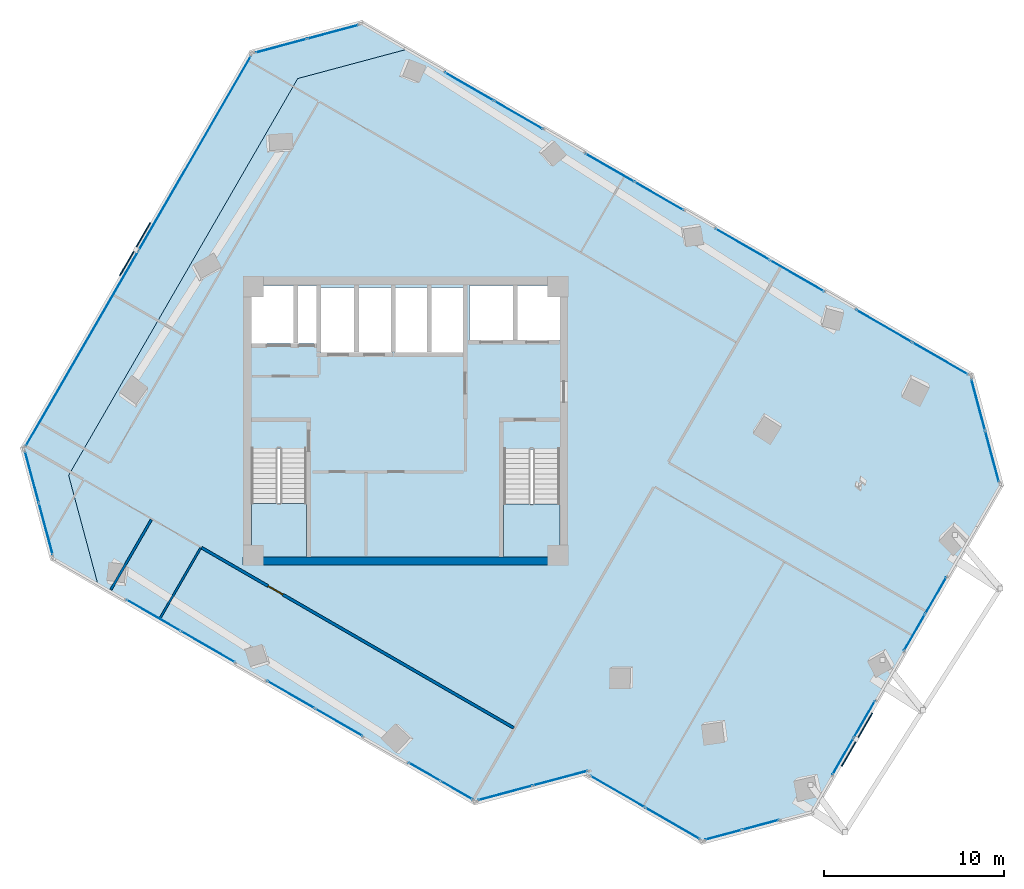
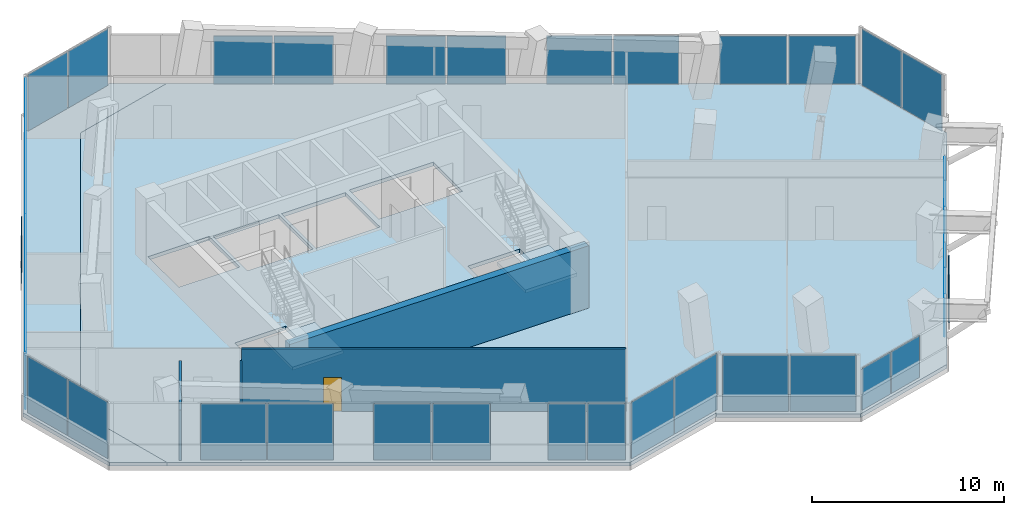
# One storey, part 17 of 22: 34 plates, 4 slabs, 4 walls, 1 door, 1 opening, 18 elements without a shape of their own.
"""IFC4 building model written with IfcOpenShell, lengths in metres."""

from ifc_helpers import new_model, si_unit, direction, frame, frame_2d, origin, origin_2d, place, context, subcontext, project, spatial, polyline, rectangle, outline, extrude, source, transform, mapped, material, layer, layer_set, type_object, element, fill, aggregate, save


model = new_model("IFC4")

# Units and contexts
model_context = context("Model", 3, precision=1e-05, world=origin(), true_north=direction((0.0, 1.0)))
body_context = subcontext(model_context, "Body", "Model", "MODEL_VIEW")
ifc_project = project(units=[si_unit("LENGTHUNIT", "METRE"), si_unit("AREAUNIT", "SQUARE_METRE"), si_unit("VOLUMEUNIT", "CUBIC_METRE"), si_unit("PLANEANGLEUNIT", "RADIAN"), si_unit("MASSUNIT", "GRAM", prefix="KILO")], contexts=[model_context])

# Site, building, storey
site_placement = place(None, origin())
site = spatial("IfcSite", under=ifc_project, at=site_placement, CompositionType="ELEMENT")
building_placement = place(site_placement, origin())
building = spatial("IfcBuilding", under=site, at=building_placement, Name="Torre Montelarca", CompositionType="ELEMENT")
storey_placement = place(building_placement, frame((0.0, 0.0, 183.39990234375)))
storey = spatial("IfcBuildingStorey", under=building, at=storey_placement, Name="L41", CompositionType="ELEMENT", Elevation=183.39990234375)

# Slabs
ifc_material_1 = material(Name="Concrete C40/50", Category="concrete")
ifc_layer_1 = layer(ifc_material_1, 0.239990234375, Name="Concrete C40/50", Category="concrete")
ifc_layer_set_1 = layer_set([ifc_layer_1], Name="Concrete C40/50")
slab_type_1 = type_object("IfcSlabType", Name="SL-FLR-240", PredefinedType="FLOOR", material=ifc_layer_set_1)
slab_1_placement = place(storey_placement, frame((0.0, 0.0, -0.239990234375)))
element("IfcSlab", 1, at=slab_1_placement, inside=storey, type_object=slab_type_1, Name="L41 Structural Floor Slab", PredefinedType="FLOOR", context=body_context, shape_type="SweptSolid", body=[
    extrude(outline(polyline([(21.839599609375, 10.788330078125), (27.98681640625, 12.435546875), (27.936767578125, 12.348876953125), (34.431884765625, 8.598876953125), (40.5791015625, 10.24609375), (51.0791015625, 28.4326171875), (49.431884765625, 34.57958984375), (18.16845703125, 52.629638671875), (12.021484375, 50.982421875), (-0.6787109375, 28.985595703125), (0.968505859375, 22.83837890625), (21.839599609375, 10.788330078125)]), holes=[polyline([(26.550048828125, 24.449951171875), (23.43994140625, 24.449951171875), (23.43994140625, 30.429931640625), (26.550048828125, 30.429931640625), (26.550048828125, 24.449951171875)]), polyline([(9.449951171875, 24.449951171875), (9.449951171875, 30.4599609375), (12.5, 30.4599609375), (12.5, 24.449951171875), (9.449951171875, 24.449951171875)]), polyline([(17.25, 35.800048828125), (13.300048828125, 35.800048828125), (13.300048828125, 39.39990234375), (17.25, 39.39990234375), (17.25, 35.800048828125)]), polyline([(21.25, 39.39990234375), (21.25, 35.800048828125), (17.39990234375, 35.800048828125), (17.39990234375, 39.39990234375), (21.25, 39.39990234375)]), polyline([(13.1201171875, 36.300048828125), (9.449951171875, 36.300048828125), (9.449951171875, 39.5), (13.1201171875, 39.5), (13.1201171875, 36.300048828125)]), polyline([(26.60009765625, 36.449951171875), (21.550048828125, 36.449951171875), (21.550048828125, 39.5), (26.60009765625, 39.5), (26.60009765625, 36.449951171875)])]), origin(), (0.0, 0.0, 1.0), 0.239990234375),
])
slab_2_placement = place(storey_placement, frame((0.0, 0.0, -0.239990234375)))
element("IfcSlab", 2, at=slab_2_placement, inside=storey, type_object=slab_type_1, Name="L41 Sliding Tray Winter Garden Floor Slab W1", PredefinedType="FLOOR", context=body_context, shape_type="SweptSolid", body=[
    extrude(outline(polyline([(0.968505859375, 22.83837890625), (-0.6787109375, 28.985595703125), (12.021484375, 50.982421875), (18.16845703125, 52.629638671875), (15.5703125, 54.129638671875), (9.42333984375, 52.482421875), (-3.276611328125, 30.485595703125), (-1.629638671875, 24.33837890625), (0.968505859375, 22.83837890625)])), origin(), (0.0, 0.0, 1.0), 0.239990234375),
])

# Stair, slab
stair_type_1 = type_object("IfcStairType", Name="ST-CORE-ST1", PredefinedType="HALF_TURN_STAIR", material=ifc_material_1)
stair_1_placement = place(storey_placement, origin())
stair_1 = element("IfcStair", 3, at=stair_1_placement, inside=storey, type_object=stair_type_1, Name="L41 Protected Exit Stair ST1", PredefinedType="HALF_TURN_STAIR")
ifc_layer_2 = layer(ifc_material_1, 0.199951171875, Name="Concrete C40/50", Category="concrete")
ifc_layer_set_2 = layer_set([ifc_layer_2], Name="Concrete C40/50")
slab_type_2 = type_object("IfcSlabType", Name="SL-ST-LAND-ST1", PredefinedType="LANDING", material=ifc_layer_set_2)
slab_3_placement = place(storey_placement, frame((0.0, 0.0, 1.900146484375)))
slab_3 = element("IfcSlab", 4, at=slab_3_placement, type_object=slab_type_2, Name="ST1 landing 1", PredefinedType="LANDING", context=body_context, shape_type="SweptSolid", body=[
    extrude(outline(polyline([(9.449951171875, 27.419921875), (9.449951171875, 24.449951171875), (12.5, 24.449951171875), (12.5, 27.419921875), (9.449951171875, 27.419921875)])), origin(), (0.0, 0.0, 1.0), 0.199951171875),
])
aggregate(stair_1, [slab_3])

stair_type_2 = type_object("IfcStairType", Name="ST-CORE-ST2", PredefinedType="HALF_TURN_STAIR", material=ifc_material_1)
stair_2_placement = place(storey_placement, origin())
stair_2 = element("IfcStair", 5, at=stair_2_placement, inside=storey, type_object=stair_type_2, Name="L41 Protected Exit Stair ST2", PredefinedType="HALF_TURN_STAIR")
ifc_layer_3 = layer(ifc_material_1, 0.199951171875, Name="Concrete C40/50", Category="concrete")
ifc_layer_set_3 = layer_set([ifc_layer_3], Name="Concrete C40/50")
slab_type_3 = type_object("IfcSlabType", Name="SL-ST-LAND-ST2", PredefinedType="LANDING", material=ifc_layer_set_3)
slab_4_placement = place(storey_placement, frame((0.0, 0.0, 1.900146484375)))
slab_4 = element("IfcSlab", 6, at=slab_4_placement, type_object=slab_type_3, Name="ST2 landing 1", PredefinedType="LANDING", context=body_context, shape_type="SweptSolid", body=[
    extrude(outline(polyline([(23.43994140625, 27.389892578125), (23.43994140625, 24.449951171875), (26.550048828125, 24.449951171875), (26.550048828125, 27.389892578125), (23.43994140625, 27.389892578125)])), origin(), (0.0, 0.0, 1.0), 0.199951171875),
])
aggregate(stair_2, [slab_4])

# Plates
ifc_material_2 = material(Name="Architectural perforated terracotta ceramic", Category="masonry")
ifc_layer_4 = layer(ifc_material_2, 0.06005859375, Name="Architectural perforated terracotta ceramic", Category="masonry")
ifc_layer_set_4 = layer_set([ifc_layer_4], Name="Architectural perforated terracotta ceramic")
plate_type_1 = type_object("IfcPlateType", Name="SCR-CER-60", PredefinedType="USERDEFINED", material=ifc_layer_set_4)
shared_shape_1 = source(origin(), body_context, "Body", "SweptSolid", [
    extrude(rectangle(XDim=3.39990234375, YDim=0.06005859375, at=origin_2d()), origin(), (0.0, 0.0, 1.0), 1.89990234375),
])
for number, where, z_axis, x_axis, name in (
    (7, (43.0283203125, 14.327880859375, 0.500244140625), (0.0, 0.0, 1.0), (0.5, 0.866025403784, 0.0), "L41 Perforated Ceramic Brise-Soleil Screen E6-1"),
    (8, (3.00390625, 41.52392578125, 0.500244140625), (0.0, 0.0, 1.0), (-0.500001511499, -0.866024531118, 0.0), "L41 Perforated Ceramic Brise-Soleil Screen E10-1"),
):
    element("IfcPlate", number, at=place(storey_placement, frame(where, z_axis=z_axis, x_axis=x_axis)), inside=storey, type_object=plate_type_1, Name=name, ObjectType="SOLAR SCREEN", PredefinedType="USERDEFINED", context=body_context, shape_type="MappedRepresentation", body=[
        mapped(shared_shape_1, transform((0.0, 0.0, 0.0), scale=1.0)),
    ])

# Curtain wall, plates
ifc_material_3 = material(Name="Insulated low-E laminated glass", Category="glass")
curtain_wall_type = type_object("IfcCurtainWallType", Name="CW-SYS-Z2", PredefinedType="USERDEFINED", material=ifc_material_3)
curtain_wall_1_placement = place(storey_placement, origin())
curtain_wall_1 = element("IfcCurtainWall", 9, at=curtain_wall_1_placement, inside=storey, type_object=curtain_wall_type, Name="L41 Curtain Wall Run CW-T3-L41-E02-B1", ObjectType="UNITISED GLAZING", PredefinedType="USERDEFINED")
ifc_layer_5 = layer(ifc_material_3, 0.031982421875, Name="Insulated low-E laminated glass", Category="glass")
ifc_layer_set_5 = layer_set([ifc_layer_5], Name="Insulated low-E laminated glass")
plate_type_2 = type_object("IfcPlateType", Name="CWP-GLZ-32", PredefinedType="CURTAIN_PANEL", material=ifc_layer_set_5)
shared_shape_2 = source(origin(), body_context, "Body", "SweptSolid", [
    extrude(rectangle(XDim=3.102294921875, YDim=0.031982421875, at=origin_2d()), origin(), (0.0, 0.0, 1.0), 3.590087890625),
])
plate_1_placement = place(storey_placement, frame((23.52734375, 11.375, 0.06494140625), z_axis=(0.0, 0.0, 1.0), x_axis=(0.965924057738, 0.258825645334, 0.0)))
plate_1 = element("IfcPlate", 10, at=plate_1_placement, type_object=plate_type_2, Name="CW panel 1.1", PredefinedType="CURTAIN_PANEL", context=body_context, shape_type="MappedRepresentation", body=[
    mapped(shared_shape_2, transform((0.0, 0.0, 0.0), scale=1.0)),
])
plate_2_placement = place(storey_placement, frame((26.5869140625, 12.19482421875, 0.06494140625), z_axis=(0.0, 0.0, 1.0), x_axis=(0.965924057738, 0.258825645334, 0.0)))
plate_2 = element("IfcPlate", 11, at=plate_2_placement, type_object=plate_type_2, Name="CW panel 2.1", PredefinedType="CURTAIN_PANEL", context=body_context, shape_type="MappedRepresentation", body=[
    mapped(shared_shape_2, transform((0.0, 0.0, 0.0), scale=1.0)),
])
aggregate(curtain_wall_1, [plate_1, plate_2])

curtain_wall_2_placement = place(storey_placement, origin())
curtain_wall_2 = element("IfcCurtainWall", 12, at=curtain_wall_2_placement, inside=storey, type_object=curtain_wall_type, Name="L41 Curtain Wall Run CW-T3-L41-E11-B1", ObjectType="UNITISED GLAZING", PredefinedType="USERDEFINED")
shared_shape_3 = source(origin(), body_context, "Body", "SweptSolid", [
    extrude(rectangle(XDim=2.918701171875, YDim=0.031982421875, at=origin_2d()), origin(), (0.0, 0.0, 1.0), 3.590087890625),
])
plate_3_placement = place(storey_placement, frame((-2.713623046875, 28.886474609375, 0.06494140625), z_axis=(0.0, 0.0, 1.0), x_axis=(0.258809832936, -0.965928294635, 0.0)))
plate_3 = element("IfcPlate", 13, at=plate_3_placement, type_object=plate_type_2, Name="CW panel 1.1", PredefinedType="CURTAIN_PANEL", context=body_context, shape_type="MappedRepresentation", body=[
    mapped(shared_shape_3, transform((0.0, 0.0, 0.0), scale=1.0)),
])
plate_4_placement = place(storey_placement, frame((-1.94140625, 26.004638671875, 0.06494140625), z_axis=(0.0, 0.0, 1.0), x_axis=(0.258809832936, -0.965928294635, 0.0)))
plate_4 = element("IfcPlate", 14, at=plate_4_placement, type_object=plate_type_2, Name="CW panel 2.1", PredefinedType="CURTAIN_PANEL", context=body_context, shape_type="MappedRepresentation", body=[
    mapped(shared_shape_3, transform((0.0, 0.0, 0.0), scale=1.0)),
])
aggregate(curtain_wall_2, [plate_3, plate_4])

curtain_wall_3_placement = place(storey_placement, origin())
curtain_wall_3 = element("IfcCurtainWall", 15, at=curtain_wall_3_placement, inside=storey, type_object=curtain_wall_type, Name="L41 Curtain Wall Run CW-T3-L41-E07-B1", ObjectType="UNITISED GLAZING", PredefinedType="USERDEFINED")
shared_shape_4 = source(origin(), body_context, "Body", "SweptSolid", [
    extrude(rectangle(XDim=2.91845703125, YDim=0.031982421875, at=origin_2d()), origin(), (0.0, 0.0, 1.0), 3.590087890625),
])
plate_5_placement = place(storey_placement, frame((50.51611328125, 30.031494140625, 0.06494140625), z_axis=(0.0, 0.0, 1.0), x_axis=(-0.258813977273, 0.965927184196, 0.0)))
plate_5 = element("IfcPlate", 16, at=plate_5_placement, type_object=plate_type_2, Name="CW panel 1.1", PredefinedType="CURTAIN_PANEL", context=body_context, shape_type="MappedRepresentation", body=[
    mapped(shared_shape_4, transform((0.0, 0.0, 0.0), scale=1.0)),
])
plate_6_placement = place(storey_placement, frame((49.743896484375, 32.913330078125, 0.06494140625), z_axis=(0.0, 0.0, 1.0), x_axis=(-0.258813977273, 0.965927184196, 0.0)))
plate_6 = element("IfcPlate", 17, at=plate_6_placement, type_object=plate_type_2, Name="CW panel 2.1", PredefinedType="CURTAIN_PANEL", context=body_context, shape_type="MappedRepresentation", body=[
    mapped(shared_shape_4, transform((0.0, 0.0, 0.0), scale=1.0)),
])
aggregate(curtain_wall_3, [plate_5, plate_6])

curtain_wall_4_placement = place(storey_placement, origin())
curtain_wall_4 = element("IfcCurtainWall", 18, at=curtain_wall_4_placement, inside=storey, type_object=curtain_wall_type, Name="L41 Curtain Wall Run CW-T3-L41-E09-B1", ObjectType="UNITISED GLAZING", PredefinedType="USERDEFINED")
plate_7_placement = place(storey_placement, frame((13.971435546875, 53.566650390625, 0.06494140625), z_axis=(0.0, 0.0, 1.0), x_axis=(-0.965927184196, -0.258813977273, 0.0)))
plate_7 = element("IfcPlate", 19, at=plate_7_placement, type_object=plate_type_2, Name="CW panel 1.1", PredefinedType="CURTAIN_PANEL", context=body_context, shape_type="MappedRepresentation", body=[
    mapped(shared_shape_4, transform((0.0, 0.0, 0.0), scale=1.0)),
])
plate_8_placement = place(storey_placement, frame((11.089599609375, 52.79443359375, 0.06494140625), z_axis=(0.0, 0.0, 1.0), x_axis=(-0.965927184196, -0.258813977273, 0.0)))
plate_8 = element("IfcPlate", 20, at=plate_8_placement, type_object=plate_type_2, Name="CW panel 2.1", PredefinedType="CURTAIN_PANEL", context=body_context, shape_type="MappedRepresentation", body=[
    mapped(shared_shape_4, transform((0.0, 0.0, 0.0), scale=1.0)),
])
aggregate(curtain_wall_4, [plate_7, plate_8])

curtain_wall_5_placement = place(storey_placement, origin())
curtain_wall_5 = element("IfcCurtainWall", 21, at=curtain_wall_5_placement, inside=storey, type_object=curtain_wall_type, Name="L41 Curtain Wall Run CW-T3-L41-E01-B1", ObjectType="UNITISED GLAZING", PredefinedType="USERDEFINED")
shared_shape_5 = source(origin(), body_context, "Body", "SweptSolid", [
    extrude(rectangle(XDim=3.422607421875, YDim=0.031982421875, at=origin_2d()), origin(), (0.0, 0.0, 1.0), 3.590087890625),
])
plate_9_placement = place(storey_placement, frame((4.026611328125, 21.22265625, 0.06494140625), z_axis=(0.0, 0.0, 1.0), x_axis=(0.866024734651, -0.500001158972, 0.0)))
plate_9 = element("IfcPlate", 22, at=plate_9_placement, type_object=plate_type_2, Name="CW panel 1.1", PredefinedType="CURTAIN_PANEL", context=body_context, shape_type="MappedRepresentation", body=[
    mapped(shared_shape_5, transform((0.0, 0.0, 0.0), scale=1.0)),
])
plate_10_placement = place(storey_placement, frame((7.046875, 19.47900390625, 0.06494140625), z_axis=(0.0, 0.0, 1.0), x_axis=(0.866024734651, -0.500001158972, 0.0)))
plate_10 = element("IfcPlate", 23, at=plate_10_placement, type_object=plate_type_2, Name="CW panel 2.1", PredefinedType="CURTAIN_PANEL", context=body_context, shape_type="MappedRepresentation", body=[
    mapped(shared_shape_5, transform((0.0, 0.0, 0.0), scale=1.0)),
])
aggregate(curtain_wall_5, [plate_9, plate_10])

curtain_wall_6_placement = place(storey_placement, origin())
curtain_wall_6 = element("IfcCurtainWall", 24, at=curtain_wall_6_placement, inside=storey, type_object=curtain_wall_type, Name="L41 Curtain Wall Run CW-T3-L41-E01-B3", ObjectType="UNITISED GLAZING", PredefinedType="USERDEFINED")
shared_shape_6 = source(origin(), body_context, "Body", "SweptSolid", [
    extrude(rectangle(XDim=1.9921875, YDim=0.031982421875, at=origin_2d()), origin(), (0.0, 0.0, 1.0), 3.590087890625),
])
plate_11_placement = place(storey_placement, frame((19.060546875, 12.54296875, 0.06494140625), z_axis=(0.0, 0.0, 1.0), x_axis=(0.866031782334, -0.499988951866, 0.0)))
plate_11 = element("IfcPlate", 25, at=plate_11_placement, type_object=plate_type_2, Name="CW panel 1.1", PredefinedType="CURTAIN_PANEL", context=body_context, shape_type="MappedRepresentation", body=[
    mapped(shared_shape_6, transform((0.0, 0.0, 0.0), scale=1.0)),
])
plate_12_placement = place(storey_placement, frame((20.84228515625, 11.514404296875, 0.06494140625), z_axis=(0.0, 0.0, 1.0), x_axis=(0.866031782334, -0.499988951866, 0.0)))
plate_12 = element("IfcPlate", 26, at=plate_12_placement, type_object=plate_type_2, Name="CW panel 2.1", PredefinedType="CURTAIN_PANEL", context=body_context, shape_type="MappedRepresentation", body=[
    mapped(shared_shape_6, transform((0.0, 0.0, 0.0), scale=1.0)),
])
aggregate(curtain_wall_6, [plate_11, plate_12])

curtain_wall_7_placement = place(storey_placement, origin())
curtain_wall_7 = element("IfcCurtainWall", 27, at=curtain_wall_7_placement, inside=storey, type_object=curtain_wall_type, Name="L41 Curtain Wall Run CW-T3-L41-E04-B1", ObjectType="UNITISED GLAZING", PredefinedType="USERDEFINED")
shared_shape_7 = source(origin(), body_context, "Body", "SweptSolid", [
    extrude(rectangle(XDim=3.44873046875, YDim=0.031982421875, at=origin_2d()), origin(), (0.0, 0.0, 1.0), 3.590087890625),
])
plate_13_placement = place(storey_placement, frame((29.760986328125, 11.44580078125, 0.06494140625), z_axis=(0.0, 0.0, 1.0), x_axis=(0.866028034499, -0.499995443442, 0.0)))
plate_13 = element("IfcPlate", 28, at=plate_13_placement, type_object=plate_type_2, Name="CW panel 1.1", PredefinedType="CURTAIN_PANEL", context=body_context, shape_type="MappedRepresentation", body=[
    mapped(shared_shape_7, transform((0.0, 0.0, 0.0), scale=1.0)),
])
plate_14_placement = place(storey_placement, frame((32.8037109375, 9.68896484375, 0.06494140625), z_axis=(0.0, 0.0, 1.0), x_axis=(0.866028034499, -0.499995443442, 0.0)))
plate_14 = element("IfcPlate", 29, at=plate_14_placement, type_object=plate_type_2, Name="CW panel 2.1", PredefinedType="CURTAIN_PANEL", context=body_context, shape_type="MappedRepresentation", body=[
    mapped(shared_shape_7, transform((0.0, 0.0, 0.0), scale=1.0)),
])
aggregate(curtain_wall_7, [plate_13, plate_14])

curtain_wall_8_placement = place(storey_placement, origin())
curtain_wall_8 = element("IfcCurtainWall", 30, at=curtain_wall_8_placement, inside=storey, type_object=curtain_wall_type, Name="L41 Curtain Wall Run CW-T3-L41-E10-B1", ObjectType="UNITISED GLAZING", PredefinedType="USERDEFINED")
shared_shape_8 = source(origin(), body_context, "Body", "SweptSolid", [
    extrude(rectangle(XDim=12.436767578125, YDim=0.031982421875, at=origin_2d()), origin(), (0.0, 0.0, 1.0), 3.590087890625),
])
plate_15_placement = place(storey_placement, frame((6.311279296875, 46.832275390625, 0.06494140625), z_axis=(0.0, 0.0, 1.0), x_axis=(-0.500001230421, -0.8660246934, 0.0)))
plate_15 = element("IfcPlate", 31, at=plate_15_placement, type_object=plate_type_2, Name="CW panel 1.1", PredefinedType="CURTAIN_PANEL", context=body_context, shape_type="MappedRepresentation", body=[
    mapped(shared_shape_8, transform((0.0, 0.0, 0.0), scale=1.0)),
])
plate_16_placement = place(storey_placement, frame((0.060546875, 36.005615234375, 0.06494140625), z_axis=(0.0, 0.0, 1.0), x_axis=(-0.500001230421, -0.8660246934, 0.0)))
plate_16 = element("IfcPlate", 32, at=plate_16_placement, type_object=plate_type_2, Name="CW panel 2.1", PredefinedType="CURTAIN_PANEL", context=body_context, shape_type="MappedRepresentation", body=[
    mapped(shared_shape_8, transform((0.0, 0.0, 0.0), scale=1.0)),
])
aggregate(curtain_wall_8, [plate_15, plate_16])

curtain_wall_9_placement = place(storey_placement, origin())
curtain_wall_9 = element("IfcCurtainWall", 33, at=curtain_wall_9_placement, inside=storey, type_object=curtain_wall_type, Name="L41 Curtain Wall Run CW-T3-L41-E01-B2", ObjectType="UNITISED GLAZING", PredefinedType="USERDEFINED")
shared_shape_9 = source(origin(), body_context, "Body", "SweptSolid", [
    extrude(rectangle(XDim=3.00732421875, YDim=0.031982421875, at=origin_2d()), origin(), (0.0, 0.0, 1.0), 3.590087890625),
])
plate_17_placement = place(storey_placement, frame((11.64111328125, 16.82666015625, 0.06494140625), z_axis=(0.0, 0.0, 1.0), x_axis=(0.866029504651, -0.499992897024, 0.0)))
plate_17 = element("IfcPlate", 34, at=plate_17_placement, type_object=plate_type_2, Name="CW panel 1.1", PredefinedType="CURTAIN_PANEL", context=body_context, shape_type="MappedRepresentation", body=[
    mapped(shared_shape_9, transform((0.0, 0.0, 0.0), scale=1.0)),
])
plate_18_placement = place(storey_placement, frame((14.3017578125, 15.29052734375, 0.06494140625), z_axis=(0.0, 0.0, 1.0), x_axis=(0.866029504651, -0.499992897024, 0.0)))
plate_18 = element("IfcPlate", 35, at=plate_18_placement, type_object=plate_type_2, Name="CW panel 2.1", PredefinedType="CURTAIN_PANEL", context=body_context, shape_type="MappedRepresentation", body=[
    mapped(shared_shape_9, transform((0.0, 0.0, 0.0), scale=1.0)),
])
aggregate(curtain_wall_9, [plate_17, plate_18])

curtain_wall_10_placement = place(storey_placement, origin())
curtain_wall_10 = element("IfcCurtainWall", 36, at=curtain_wall_10_placement, inside=storey, type_object=curtain_wall_type, Name="L41 Curtain Wall Run CW-T3-L41-E05-B1", ObjectType="UNITISED GLAZING", PredefinedType="USERDEFINED")
shared_shape_10 = source(origin(), body_context, "Body", "SweptSolid", [
    extrude(rectangle(XDim=2.0771484375, YDim=0.031982421875, at=origin_2d()), origin(), (0.0, 0.0, 1.0), 2.64501953125),
])
plate_19_placement = place(storey_placement, frame((35.62451171875, 9.052978515625, 0.065185546875), z_axis=(0.0, 0.0, 1.0), x_axis=(0.965920546495, 0.258838748757, 0.0)))
plate_19 = element("IfcPlate", 37, at=plate_19_placement, type_object=plate_type_2, Name="CW panel 1.1", PredefinedType="CURTAIN_PANEL", context=body_context, shape_type="MappedRepresentation", body=[
    mapped(shared_shape_10, transform((0.0, 0.0, 0.0), scale=1.0)),
])
plate_20_placement = place(storey_placement, frame((37.69384765625, 9.607421875, 0.065185546875), z_axis=(0.0, 0.0, 1.0), x_axis=(0.965920546495, 0.258838748757, 0.0)))
plate_20 = element("IfcPlate", 38, at=plate_20_placement, type_object=plate_type_2, Name="CW panel 2.1", PredefinedType="CURTAIN_PANEL", context=body_context, shape_type="MappedRepresentation", body=[
    mapped(shared_shape_10, transform((0.0, 0.0, 0.0), scale=1.0)),
])
aggregate(curtain_wall_10, [plate_19, plate_20])

curtain_wall_11_placement = place(storey_placement, origin())
curtain_wall_11 = element("IfcCurtainWall", 39, at=curtain_wall_11_placement, inside=storey, type_object=curtain_wall_type, Name="L41 Curtain Wall Run CW-T3-L41-E06-B1", ObjectType="UNITISED GLAZING", PredefinedType="USERDEFINED")
shared_shape_11 = source(origin(), body_context, "Body", "SweptSolid", [
    extrude(rectangle(XDim=2.30712890625, YDim=0.031982421875, at=origin_2d()), origin(), (0.0, 0.0, 1.0), 2.64501953125),
])
plate_21_placement = place(storey_placement, frame((42.253173828125, 13.40576171875, 0.065185546875), z_axis=(0.0, 0.0, 1.0), x_axis=(0.500008047005, 0.866020757794, 0.0)))
plate_21 = element("IfcPlate", 40, at=plate_21_placement, type_object=plate_type_2, Name="CW panel 1.1", PredefinedType="CURTAIN_PANEL", context=body_context, shape_type="MappedRepresentation", body=[
    mapped(shared_shape_11, transform((0.0, 0.0, 0.0), scale=1.0)),
])
plate_22_placement = place(storey_placement, frame((43.439208984375, 15.4599609375, 0.065185546875), z_axis=(0.0, 0.0, 1.0), x_axis=(0.500008047005, 0.866020757794, 0.0)))
plate_22 = element("IfcPlate", 41, at=plate_22_placement, type_object=plate_type_2, Name="CW panel 2.1", PredefinedType="CURTAIN_PANEL", context=body_context, shape_type="MappedRepresentation", body=[
    mapped(shared_shape_11, transform((0.0, 0.0, 0.0), scale=1.0)),
])
aggregate(curtain_wall_11, [plate_21, plate_22])

curtain_wall_12_placement = place(storey_placement, origin())
curtain_wall_12 = element("IfcCurtainWall", 42, at=curtain_wall_12_placement, inside=storey, type_object=curtain_wall_type, Name="L41 Curtain Wall Run CW-T3-L41-E06-B2", ObjectType="UNITISED GLAZING", PredefinedType="USERDEFINED")
shared_shape_12 = source(origin(), body_context, "Body", "SweptSolid", [
    extrude(rectangle(XDim=2.30322265625, YDim=0.031982421875, at=origin_2d()), origin(), (0.0, 0.0, 1.0), 2.64501953125),
])
plate_23_placement = place(storey_placement, frame((46.21484375, 20.267333984375, 0.065185546875), z_axis=(0.0, 0.0, 1.0), x_axis=(0.499994081576, 0.866028820761, 0.0)))
plate_23 = element("IfcPlate", 43, at=plate_23_placement, type_object=plate_type_2, Name="CW panel 1.1", PredefinedType="CURTAIN_PANEL", context=body_context, shape_type="MappedRepresentation", body=[
    mapped(shared_shape_12, transform((0.0, 0.0, 0.0), scale=1.0)),
])
plate_24_placement = place(storey_placement, frame((47.39892578125, 22.318359375, 0.065185546875), z_axis=(0.0, 0.0, 1.0), x_axis=(0.499994081576, 0.866028820761, 0.0)))
plate_24 = element("IfcPlate", 44, at=plate_24_placement, type_object=plate_type_2, Name="CW panel 2.1", PredefinedType="CURTAIN_PANEL", context=body_context, shape_type="MappedRepresentation", body=[
    mapped(shared_shape_12, transform((0.0, 0.0, 0.0), scale=1.0)),
])
aggregate(curtain_wall_12, [plate_23, plate_24])

curtain_wall_13_placement = place(storey_placement, origin())
curtain_wall_13 = element("IfcCurtainWall", 45, at=curtain_wall_13_placement, inside=storey, type_object=curtain_wall_type, Name="L41 Curtain Wall Run CW-T3-L41-E08-B1", ObjectType="UNITISED GLAZING", PredefinedType="USERDEFINED")
shared_shape_13 = source(origin(), body_context, "Body", "SweptSolid", [
    extrude(rectangle(XDim=3.529541015625, YDim=0.031982421875, at=origin_2d()), origin(), (0.0, 0.0, 1.0), 3.044921875),
])
plate_25_placement = place(storey_placement, frame((47.638671875, 35.46484375, 0.065185546875), z_axis=(0.0, 0.0, 1.0), x_axis=(-0.86602466338, 0.500001282416, 0.0)))
plate_25 = element("IfcPlate", 46, at=plate_25_placement, type_object=plate_type_2, Name="CW panel 1.1", PredefinedType="CURTAIN_PANEL", context=body_context, shape_type="MappedRepresentation", body=[
    mapped(shared_shape_13, transform((0.0, 0.0, 0.0), scale=1.0)),
])
plate_26_placement = place(storey_placement, frame((44.525634765625, 37.26220703125, 0.065185546875), z_axis=(0.0, 0.0, 1.0), x_axis=(-0.86602466338, 0.500001282416, 0.0)))
plate_26 = element("IfcPlate", 47, at=plate_26_placement, type_object=plate_type_2, Name="CW panel 2.1", PredefinedType="CURTAIN_PANEL", context=body_context, shape_type="MappedRepresentation", body=[
    mapped(shared_shape_13, transform((0.0, 0.0, 0.0), scale=1.0)),
])
aggregate(curtain_wall_13, [plate_25, plate_26])

curtain_wall_14_placement = place(storey_placement, origin())
curtain_wall_14 = element("IfcCurtainWall", 48, at=curtain_wall_14_placement, inside=storey, type_object=curtain_wall_type, Name="L41 Curtain Wall Run CW-T3-L41-E08-B2", ObjectType="UNITISED GLAZING", PredefinedType="USERDEFINED")
shared_shape_14 = source(origin(), body_context, "Body", "SweptSolid", [
    extrude(rectangle(XDim=3.422607421875, YDim=0.031982421875, at=origin_2d()), origin(), (0.0, 0.0, 1.0), 3.044921875),
])
plate_27_placement = place(storey_placement, frame((39.705322265625, 40.045166015625, 0.065185546875), z_axis=(0.0, 0.0, 1.0), x_axis=(-0.866028285754, 0.49999500825, 0.0)))
plate_27 = element("IfcPlate", 49, at=plate_27_placement, type_object=plate_type_2, Name="CW panel 1.1", PredefinedType="CURTAIN_PANEL", context=body_context, shape_type="MappedRepresentation", body=[
    mapped(shared_shape_14, transform((0.0, 0.0, 0.0), scale=1.0)),
])
plate_28_placement = place(storey_placement, frame((36.68505859375, 41.788818359375, 0.065185546875), z_axis=(0.0, 0.0, 1.0), x_axis=(-0.866028285754, 0.49999500825, 0.0)))
plate_28 = element("IfcPlate", 50, at=plate_28_placement, type_object=plate_type_2, Name="CW panel 2.1", PredefinedType="CURTAIN_PANEL", context=body_context, shape_type="MappedRepresentation", body=[
    mapped(shared_shape_14, transform((0.0, 0.0, 0.0), scale=1.0)),
])
aggregate(curtain_wall_14, [plate_27, plate_28])

curtain_wall_15_placement = place(storey_placement, origin())
curtain_wall_15 = element("IfcCurtainWall", 51, at=curtain_wall_15_placement, inside=storey, type_object=curtain_wall_type, Name="L41 Curtain Wall Run CW-T3-L41-E08-B3", ObjectType="UNITISED GLAZING", PredefinedType="USERDEFINED")
shared_shape_15 = source(origin(), body_context, "Body", "SweptSolid", [
    extrude(rectangle(XDim=3.09033203125, YDim=0.031982421875, at=origin_2d()), origin(), (0.0, 0.0, 1.0), 3.044921875),
])
plate_29_placement = place(storey_placement, frame((32.054931640625, 44.462158203125, 0.065185546875), z_axis=(0.0, 0.0, 1.0), x_axis=(-0.866025216772, 0.500000323914, 0.0)))
plate_29 = element("IfcPlate", 52, at=plate_29_placement, type_object=plate_type_2, Name="CW panel 1.1", PredefinedType="CURTAIN_PANEL", context=body_context, shape_type="MappedRepresentation", body=[
    mapped(shared_shape_15, transform((0.0, 0.0, 0.0), scale=1.0)),
])
plate_30_placement = place(storey_placement, frame((29.322265625, 46.039794921875, 0.065185546875), z_axis=(0.0, 0.0, 1.0), x_axis=(-0.866025216772, 0.500000323914, 0.0)))
plate_30 = element("IfcPlate", 53, at=plate_30_placement, type_object=plate_type_2, Name="CW panel 2.1", PredefinedType="CURTAIN_PANEL", context=body_context, shape_type="MappedRepresentation", body=[
    mapped(shared_shape_15, transform((0.0, 0.0, 0.0), scale=1.0)),
])
aggregate(curtain_wall_15, [plate_29, plate_30])

curtain_wall_16_placement = place(storey_placement, origin())
curtain_wall_16 = element("IfcCurtainWall", 54, at=curtain_wall_16_placement, inside=storey, type_object=curtain_wall_type, Name="L41 Curtain Wall Run CW-T3-L41-E08-B4", ObjectType="UNITISED GLAZING", PredefinedType="USERDEFINED")
shared_shape_16 = source(origin(), body_context, "Body", "SweptSolid", [
    extrude(rectangle(XDim=3.086181640625, YDim=0.031982421875, at=origin_2d()), origin(), (0.0, 0.0, 1.0), 3.044921875),
])
plate_31_placement = place(storey_placement, frame((24.2626953125, 48.9609375, 0.065185546875), z_axis=(0.0, 0.0, 1.0), x_axis=(-0.866027094035, 0.499997072389, 0.0)))
plate_31 = element("IfcPlate", 55, at=plate_31_placement, type_object=plate_type_2, Name="CW panel 1.1", PredefinedType="CURTAIN_PANEL", context=body_context, shape_type="MappedRepresentation", body=[
    mapped(shared_shape_16, transform((0.0, 0.0, 0.0), scale=1.0)),
])
plate_32_placement = place(storey_placement, frame((21.53369140625, 50.53662109375, 0.065185546875), z_axis=(0.0, 0.0, 1.0), x_axis=(-0.866027094035, 0.499997072389, 0.0)))
plate_32 = element("IfcPlate", 56, at=plate_32_placement, type_object=plate_type_2, Name="CW panel 2.1", PredefinedType="CURTAIN_PANEL", context=body_context, shape_type="MappedRepresentation", body=[
    mapped(shared_shape_16, transform((0.0, 0.0, 0.0), scale=1.0)),
])
aggregate(curtain_wall_16, [plate_31, plate_32])

# Wall
ifc_material_4 = material(Name="Concrete C55/67", Category="concrete")
ifc_layer_6 = layer(ifc_material_4, 0.449951171875, Name="Concrete C55/67", Category="concrete")
ifc_layer_set_6 = layer_set([ifc_layer_6], Name="Concrete C55/67")
wall_type_1 = type_object("IfcWallType", Name="CW-SHEAR-450", PredefinedType="SHEAR", material=ifc_layer_set_6)
wall_1_placement = place(storey_placement, frame((9.0, 24.22509765625, 0.0), z_axis=(0.0, 0.0, 1.0), x_axis=(1.0, 0.0, 0.0)))
element("IfcWall", 57, at=wall_1_placement, inside=storey, type_object=wall_type_1, Name="L41 Core Shear Wall CW-S1", PredefinedType="SHEAR", context=body_context, shape_type="SweptSolid", body=[
    extrude(rectangle(XDim=18.0, YDim=0.449951171875, at=frame_2d((9.0, 0.0))), origin(), (0.0, 0.0, 1.0), 3.960205078125),
])

# Wall, opening, door
ifc_material_5 = material(Name="Gypsum plasterboard on steel stud", Category="steel")
ifc_layer_7 = layer(ifc_material_5, 0.159912109375, Name="Gypsum plasterboard on steel stud", Category="steel")
ifc_layer_set_7 = layer_set([ifc_layer_7], Name="Gypsum plasterboard on steel stud")
wall_type_2 = type_object("IfcWallType", Name="PW-FIRE-160", PredefinedType="PARTITIONING", material=ifc_layer_set_7)
wall_2_placement = place(storey_placement, frame((6.6923828125, 24.972412109375, 0.0), z_axis=(0.0, 0.0, 1.0), x_axis=(0.866021861762, -0.500006134913, 0.0)))
wall_2 = element("IfcWall", 58, at=wall_2_placement, inside=storey, type_object=wall_type_2, Name="L41 Interior Partition W-L41-SOCCN", PredefinedType="PARTITIONING", context=body_context, shape_type="SweptSolid", body=[
    extrude(rectangle(XDim=19.989990234375, YDim=0.159912109375, at=frame_2d((9.9951171875, 0.0))), origin(), (0.0, 0.0, 1.0), 3.960205078125),
])
opening_placement = place(wall_2_placement, frame((4.25, 0.0, 0.0)))
opening = element("IfcOpeningElement", 59, at=opening_placement, cuts=wall_2, Name="Opening FD-095", PredefinedType="OPENING", context=body_context, shape_type="SweptSolid", body=[
    extrude(rectangle(XDim=0.949951171875, YDim=2.14990234375, at=frame_2d((0.47509765625, 1.074951171875))), frame((0.0, 0.08984375, 0.0), z_axis=(0.0, -1.0, 0.0), x_axis=(1.0, 0.0, 0.0)), (0.0, 0.0, 1.0), 0.179931640625),
])
ifc_material_6 = material(Name="Timber fire-rated room door", Category="wood")
door_type = type_object("IfcDoorType", Name="DR-FIRE-095", OperationType="NOTDEFINED", PredefinedType="DOOR", material=ifc_material_6)
shared_shape_17 = source(origin(), body_context, "Body", "SweptSolid", [
    extrude(rectangle(XDim=0.949951171875, YDim=2.14990234375, at=frame_2d((0.47509765625, 1.074951171875))), frame((0.0, 0.02490234375, 0.0), z_axis=(0.0, -1.0, 0.0), x_axis=(1.0, 0.0, 0.0)), (0.0, 0.0, 1.0), 0.050048828125),
])
door_placement = place(opening_placement, origin())
door = element("IfcDoor", 60, at=door_placement, inside=storey, type_object=door_type, Name="L41 Interior Door 06", OperationType="SINGLE_SWING_RIGHT", OverallHeight=2.14990234375, OverallWidth=0.949951171875, PredefinedType="DOOR", context=body_context, shape_type="MappedRepresentation", body=[
    mapped(shared_shape_17, transform((0.0, 0.0, 0.0), scale=1.0)),
])
fill(opening, door)

# Walls
ifc_layer_8 = layer(ifc_material_5, 0.114990234375, Name="Gypsum plasterboard on steel stud", Category="steel")
ifc_layer_set_8 = layer_set([ifc_layer_8], Name="Gypsum plasterboard on steel stud")
wall_type_3 = type_object("IfcWallType", Name="PW-PART-115", PredefinedType="PARTITIONING", material=ifc_layer_set_8)
wall_3_placement = place(storey_placement, frame((4.392578125, 21.069091796875, 0.0), z_axis=(0.0, 0.0, 1.0), x_axis=(0.499998569178, 0.866026229868, 0.0)))
element("IfcWall", 61, at=wall_3_placement, inside=storey, type_object=wall_type_3, Name="L41 Interior Partition W-L41-SWCDIV", PredefinedType="PARTITIONING", context=body_context, shape_type="SweptSolid", body=[
    extrude(rectangle(XDim=4.490234375, YDim=0.114990234375, at=frame_2d((2.2451171875, 0.0))), origin(), (0.0, 0.0, 1.0), 3.195068359375),
])
ifc_layer_9 = layer(ifc_material_5, 0.135009765625, Name="Gypsum plasterboard on steel stud", Category="steel")
ifc_layer_set_9 = layer_set([ifc_layer_9], Name="Gypsum plasterboard on steel stud")
wall_type_4 = type_object("IfcWallType", Name="PW-PART-135", PredefinedType="PARTITIONING", material=ifc_layer_set_9)
wall_4_placement = place(storey_placement, frame((1.664794921875, 22.644287109375, 0.0), z_axis=(0.0, 0.0, 1.0), x_axis=(0.499981332661, 0.866036181109, 0.0)))
element("IfcWall", 62, at=wall_4_placement, inside=storey, type_object=wall_type_4, Name="L41 Interior Partition W-L41-WCD", PredefinedType="PARTITIONING", context=body_context, shape_type="SweptSolid", body=[
    extrude(rectangle(XDim=4.489990234375, YDim=0.135009765625, at=frame_2d((2.2451171875, 0.0))), origin(), (0.0, 0.0, 1.0), 3.195068359375),
])

save(model, "model.ifc")
